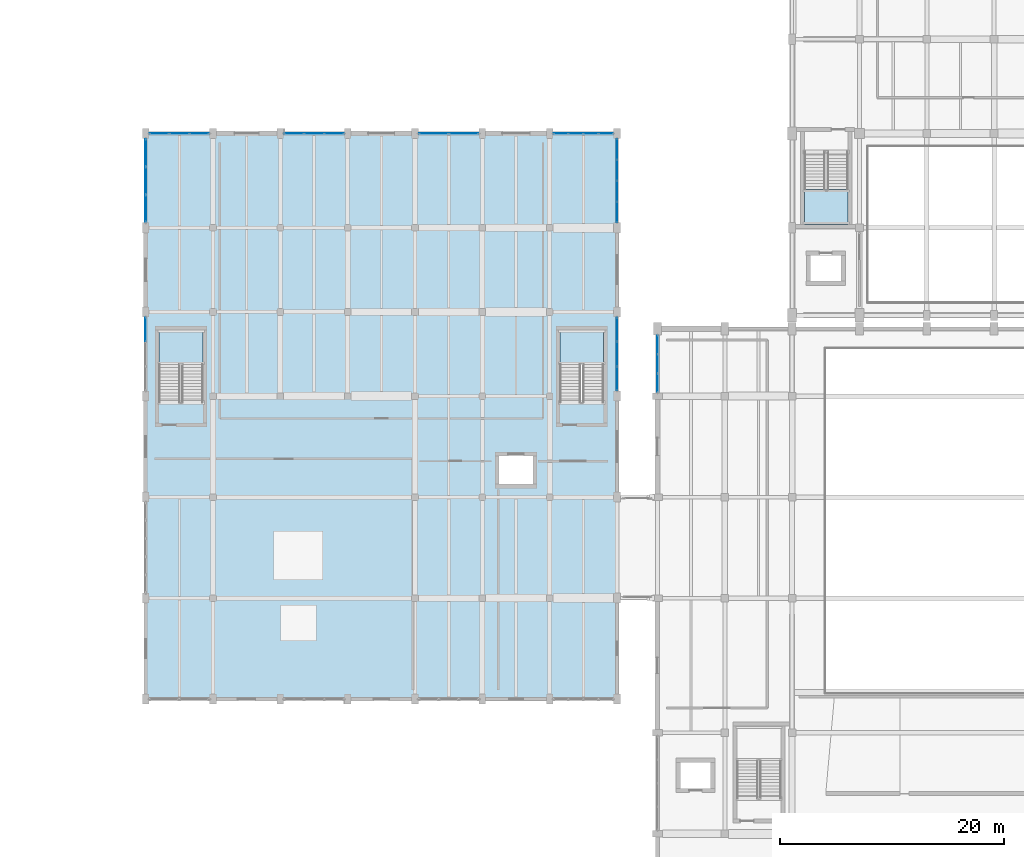
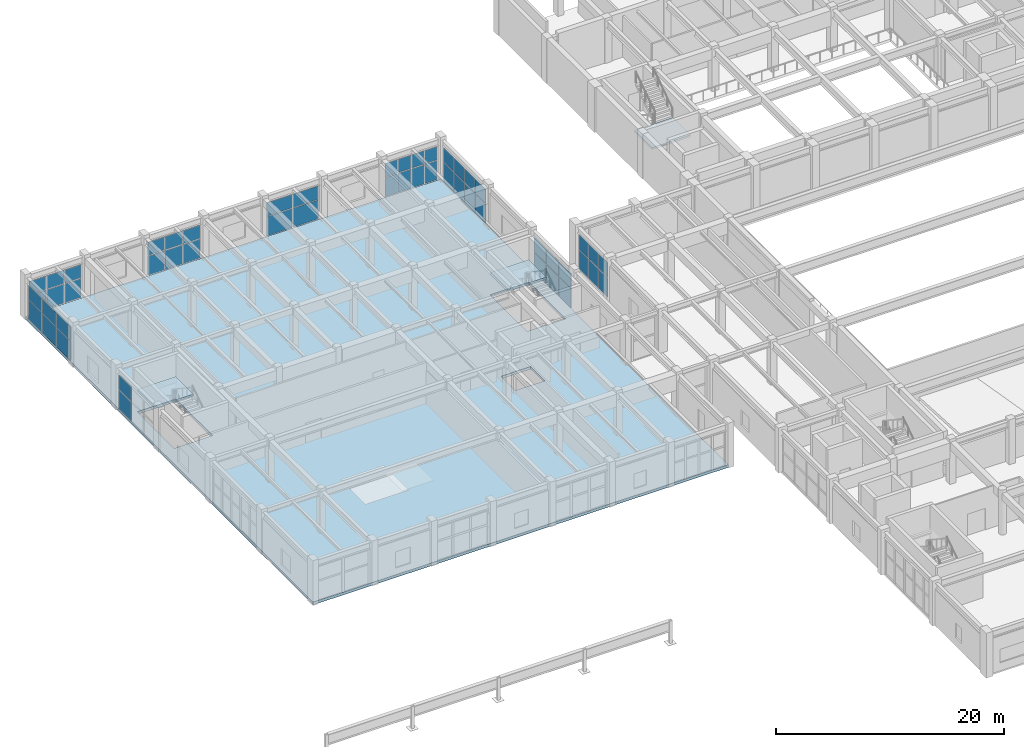
# One storey, part 57 of 85: 52 plates, 4 slabs, 12 elements without a shape of their own.
"""IFC4 building model written with IfcOpenShell, lengths in metres."""

import ifcopenshell
import ifcopenshell.guid

model = None  # the IFC model being written
_history = None  # IfcOwnerHistory: only IFC2X3 demands one
_inside = {}  # id of a spatial element -> (the spatial element, [elements in it])
_under = {}  # id of a project, library or spatial element -> (it, [spatial elements below it])
_declared = {}  # id of a project -> (the project, [libraries it declares])
_typed = {}  # id of a type object -> (the type object, [elements of that type])
_made_of = {}  # id of a material, layer set ... -> (it, [elements and type objects made of it])


def new_model(schema):
    """Start an empty IFC model of exactly this schema.

    Asked for "IFC4X3", IfcOpenShell would pick the latest addendum, in which some entities
    have other attributes; the version numbers below select the first issue.
    IFC2X3 requires an IfcOwnerHistory on every rooted entity: one is made here for all.
    """
    global model, _history
    if schema == "IFC4X3":
        model = ifcopenshell.file(schema_version=(4, 3, 0, 0))
    else:
        model = ifcopenshell.file(schema=schema)
    _inside.clear()
    _under.clear()
    _declared.clear()
    _typed.clear()
    _made_of.clear()
    _history = None
    if model.schema == "IFC2X3":
        org = make("IfcOrganization", Name="unknown")
        user = make(
            "IfcPersonAndOrganization",
            ThePerson=make("IfcPerson", FamilyName="unknown"),
            TheOrganization=org,
        )
        app = make(
            "IfcApplication",
            ApplicationDeveloper=org,
            Version="unknown",
            ApplicationFullName="unknown",
            ApplicationIdentifier="unknown",
        )
        _history = make(
            "IfcOwnerHistory",
            OwningUser=user,
            OwningApplication=app,
            ChangeAction="ADDED",
            CreationDate=0,
        )
    return model


def make(cls, **values):
    """One entity of the class cls with the attributes given. An attribute that is None is left unset."""
    return model.create_entity(
        cls, **{name: value for name, value in values.items() if value is not None}
    )


def rooted(cls, **values):
    """An entity with a GlobalId (a new one), such as an element, a storey or a relation."""
    return make(cls, GlobalId=ifcopenshell.guid.new(), OwnerHistory=_history, **values)


def si_unit(unit_type, name, prefix=None):
    """IfcSIUnit, for example si_unit("LENGTHUNIT", "METRE", prefix="MILLI")."""
    return make("IfcSIUnit", UnitType=unit_type, Prefix=prefix, Name=name)


def assignment(units):
    """IfcUnitAssignment: the units of a project."""
    return None if units is None else make("IfcUnitAssignment", Units=units)


def point(xyz):
    """IfcCartesianPoint."""
    return None if xyz is None else make("IfcCartesianPoint", Coordinates=xyz)


def direction(xyz):
    """IfcDirection."""
    return None if xyz is None else make("IfcDirection", DirectionRatios=xyz)


def frame(location, z_axis=None, x_axis=None):
    """IfcAxis2Placement3D, a coordinate frame: its origin and axes. An axis left out is left unset."""
    return make(
        "IfcAxis2Placement3D",
        Location=point(location),
        Axis=direction(z_axis),
        RefDirection=direction(x_axis),
    )


def frame_2d(location, x_axis=None):
    """IfcAxis2Placement2D, a coordinate frame in the plane: its origin and x axis."""
    return make(
        "IfcAxis2Placement2D", Location=point(location), RefDirection=direction(x_axis)
    )


def origin():
    """The frame at (0, 0, 0) with its axes left unset."""
    return frame((0.0, 0.0, 0.0))


def origin_2d():
    """The frame at (0, 0) in the plane with its x axis left unset."""
    return frame_2d((0.0, 0.0))


def place(relative_to, where):
    """IfcLocalPlacement: puts the frame where relative to a parent placement (None: the world)."""
    return make(
        "IfcLocalPlacement", PlacementRelTo=relative_to, RelativePlacement=where
    )


def context(
    kind, dimensions, precision=None, world=None, true_north=None, identifier=None
):
    """IfcGeometricRepresentationContext, for example the 3D "Model" context."""
    return make(
        "IfcGeometricRepresentationContext",
        ContextIdentifier=identifier,
        ContextType=kind,
        CoordinateSpaceDimension=dimensions,
        Precision=precision,
        WorldCoordinateSystem=world,
        TrueNorth=true_north,
    )


def subcontext(parent, identifier, kind, view, scale=None):
    """IfcGeometricRepresentationSubContext, for example "Body" below "Model"."""
    return make(
        "IfcGeometricRepresentationSubContext",
        ContextIdentifier=identifier,
        ContextType=kind,
        ParentContext=parent,
        TargetScale=scale,
        TargetView=view,
    )


def project(units=None, contexts=None):
    """IfcProject with its units and contexts."""
    return rooted(
        "IfcProject",
        Name="project",
        RepresentationContexts=contexts,
        UnitsInContext=assignment(units),
    )


def spatial(cls, under=None, at=None, **own):
    """A site, building, storey or space (cls), placed at a placement, below another one or the project."""
    s = rooted(cls, ObjectPlacement=at, **own)
    if under is not None:
        _under.setdefault(under.id(), (under, []))[1].append(s)
    return s


def polyline(points):
    """IfcPolyline through the points."""
    return make("IfcPolyline", Points=[point(p) for p in points])


def profile(cls, at=None, kind="AREA", **sizes):
    """A parametric profile (cls). Its sizes go by their IFC names, for example OverallWidth=200.0."""
    return make(cls, ProfileType=kind, Position=at, **sizes)


def rectangle(**sizes):
    """IfcRectangleProfileDef."""
    return profile("IfcRectangleProfileDef", **sizes)


def outline(outer, holes=None, kind="AREA"):
    """IfcArbitraryClosedProfileDef: a profile drawn as a closed curve; with holes, ...WithVoids."""
    if holes is None:
        return make("IfcArbitraryClosedProfileDef", ProfileType=kind, OuterCurve=outer)
    return make(
        "IfcArbitraryProfileDefWithVoids",
        ProfileType=kind,
        OuterCurve=outer,
        InnerCurves=holes,
    )


def extrude(swept, where, along, depth):
    """IfcExtrudedAreaSolid: the profile swept, set in the frame where, extruded along a direction by depth."""
    return make(
        "IfcExtrudedAreaSolid",
        SweptArea=swept,
        Position=where,
        ExtrudedDirection=direction(along),
        Depth=depth,
    )


def shape(context_of_items, identifier, shape_type, items):
    """IfcShapeRepresentation: the items that make up one representation, for example the "Body"."""
    return make(
        "IfcShapeRepresentation",
        ContextOfItems=context_of_items,
        RepresentationIdentifier=identifier,
        RepresentationType=shape_type,
        Items=items,
    )


def material(Name=None, Category=None):
    """IfcMaterial."""
    return make("IfcMaterial", Name=Name, Category=Category)


def layer(
    of_material, thickness, ventilated=None, Name=None, Category=None, Priority=None
):
    """IfcMaterialLayer: one layer of a wall or slab, of a material (None: an air gap)."""
    return make(
        "IfcMaterialLayer",
        Material=of_material,
        LayerThickness=thickness,
        IsVentilated=ventilated,
        Name=Name,
        Category=Category,
        Priority=Priority,
    )


def layer_set(layers, Name=None):
    """IfcMaterialLayerSet."""
    return make("IfcMaterialLayerSet", MaterialLayers=layers, LayerSetName=Name)


def made_of(thing, what):
    """Note that an element or type object is made of a material, layer set ...; save() writes the relation."""
    if what is not None:
        _made_of.setdefault(what.id(), (what, []))[1].append(thing)
    return thing


def type_object(cls, material=None, **own):
    """A type object (cls), such as IfcWallType, which elements share."""
    return made_of(rooted(cls, **own), material)


def element(
    cls,
    number,
    at=None,
    inside=None,
    cuts=None,
    type_object=None,
    material=None,
    context=None,
    identifier="Body",
    shape_type=None,
    held_by="IfcProductDefinitionShape",
    body=None,
    shapes=None,
    **own,
):
    """One element of the class cls, such as IfcWall. Its Tag is "e" and its number.

    at: its placement. inside: the storey or other place that contains it. cuts: it is an
    opening in that element (IfcRelVoidsElement). A single representation is given by context,
    identifier, shape_type and body (its items); several are given by shapes. held_by: the class
    of the entity that holds the representations. save() writes the other relations.
    """
    e = rooted(cls, Tag="e%d" % number, ObjectPlacement=at, **own)
    if body is not None:
        shapes = [shape(context, identifier, shape_type, body)]
    if shapes is not None:
        e.Representation = make(held_by, Representations=shapes)
    if inside is not None:
        _inside.setdefault(inside.id(), (inside, []))[1].append(e)
    if cuts is not None:
        rooted(
            "IfcRelVoidsElement", RelatingBuildingElement=cuts, RelatedOpeningElement=e
        )
    if type_object is not None:
        _typed.setdefault(type_object.id(), (type_object, []))[1].append(e)
    return made_of(e, material)


def aggregate(whole, parts):
    """IfcRelAggregates: a whole, such as a stair, and the parts it consists of."""
    return rooted("IfcRelAggregates", RelatingObject=whole, RelatedObjects=parts)


def save(model, path):
    """Write the relations noted so far, then the file.

    IfcRelAggregates (storeys below a building ...), IfcRelContainedInSpatialStructure (elements
    in a storey), IfcRelDefinesByType, IfcRelAssociatesMaterial and IfcRelDeclares: one each for
    every whole, place, type object, material and project.
    """
    for whole, parts in _under.values():
        aggregate(whole, parts)
    for where, things in _inside.values():
        rooted(
            "IfcRelContainedInSpatialStructure",
            RelatedElements=things,
            RelatingStructure=where,
        )
    for kind, things in _typed.values():
        rooted("IfcRelDefinesByType", RelatedObjects=things, RelatingType=kind)
    for what, things in _made_of.values():
        rooted("IfcRelAssociatesMaterial", RelatedObjects=things, RelatingMaterial=what)
    for by, libraries in _declared.values():
        rooted("IfcRelDeclares", RelatingContext=by, RelatedDefinitions=libraries)
    model.write(path)


model = new_model("IFC4")

# Units and contexts
model_context = context("Model", 3, precision=1e-05, world=origin(), true_north=direction((0.0, 1.0)))
body_context = subcontext(model_context, "Body", "Model", "MODEL_VIEW")
ifc_project = project(units=[si_unit("LENGTHUNIT", "METRE"), si_unit("AREAUNIT", "SQUARE_METRE"), si_unit("VOLUMEUNIT", "CUBIC_METRE"), si_unit("PLANEANGLEUNIT", "RADIAN"), si_unit("MASSUNIT", "GRAM", prefix="KILO")], contexts=[model_context])

# Site, building, storey
site_placement = place(None, origin())
site = spatial("IfcSite", under=ifc_project, at=site_placement, CompositionType="ELEMENT")
building_placement = place(site_placement, origin())
building = spatial("IfcBuilding", under=site, at=building_placement, Name="Vaelkrest Opera House", CompositionType="ELEMENT")
storey_placement = place(building_placement, frame((0.0, 0.0, 10.199951171875)))
storey = spatial("IfcBuildingStorey", under=building, at=storey_placement, Name="L02", CompositionType="ELEMENT", Elevation=10.199951171875)

# Curtain wall, plates
ifc_material_1 = material(Name="Dark bronze anodized aluminium", Category="aluminium")
ifc_layer_1 = layer(ifc_material_1, 0.18994140625)
ifc_layer_set_1 = layer_set([ifc_layer_1], Name="Dark bronze anodized aluminium")
curtain_wall_type_1 = type_object("IfcCurtainWallType", Name="CW02", PredefinedType="NOTDEFINED", material=ifc_layer_set_1)
curtain_wall_1_placement = place(storey_placement, origin())
curtain_wall_1 = element("IfcCurtainWall", 1, at=curtain_wall_1_placement, inside=storey, type_object=curtain_wall_type_1, Name="Curtain wall CW-L02-038", PredefinedType="NOTDEFINED")
ifc_material_2 = material(Name="Double low-E insulated glazing", Category="glass")
ifc_layer_2 = layer(ifc_material_2, 0.030029296875)
ifc_layer_set_2 = layer_set([ifc_layer_2], Name="Double low-E insulated glazing")
plate_type_1 = type_object("IfcPlateType", Name="CWP02", PredefinedType="CURTAIN_PANEL", material=ifc_layer_set_2)
plate_1_placement = place(storey_placement, frame((-30.0, 11.37451171875, 0.070068359375), z_axis=(0.0, 0.0, 1.0), x_axis=(0.0, 1.0, 0.0)))
plate_1 = element("IfcPlate", 2, at=plate_1_placement, type_object=plate_type_1, Name="CW02 panel 1.1", PredefinedType="CURTAIN_PANEL", context=body_context, shape_type="SweptSolid", body=[
    extrude(rectangle(XDim=1.613037109375, YDim=0.030029296875, at=origin_2d()), origin(), (0.0, 0.0, 1.0), 2.044921875),
])
plate_2_placement = place(storey_placement, frame((-30.0, 11.37451171875, 2.18505859375), z_axis=(0.0, 0.0, 1.0), x_axis=(0.0, 1.0, 0.0)))
plate_2 = element("IfcPlate", 3, at=plate_2_placement, type_object=plate_type_1, Name="CW02 panel 1.2", PredefinedType="CURTAIN_PANEL", context=body_context, shape_type="SweptSolid", body=[
    extrude(rectangle(XDim=1.613037109375, YDim=0.030029296875, at=origin_2d()), origin(), (0.0, 0.0, 1.0), 1.573974609375),
])
plate_3_placement = place(storey_placement, frame((-30.0, 13.074951171875, 0.070068359375), z_axis=(0.0, 0.0, 1.0), x_axis=(0.0, 1.0, 0.0)))
plate_3 = element("IfcPlate", 4, at=plate_3_placement, type_object=plate_type_1, Name="CW02 panel 2.1", PredefinedType="CURTAIN_PANEL", context=body_context, shape_type="SweptSolid", body=[
    extrude(rectangle(XDim=1.64794921875, YDim=0.030029296875, at=origin_2d()), origin(), (0.0, 0.0, 1.0), 2.044921875),
])
plate_4_placement = place(storey_placement, frame((-30.0, 13.074951171875, 2.18505859375), z_axis=(0.0, 0.0, 1.0), x_axis=(0.0, 1.0, 0.0)))
plate_4 = element("IfcPlate", 5, at=plate_4_placement, type_object=plate_type_1, Name="CW02 panel 2.2", PredefinedType="CURTAIN_PANEL", context=body_context, shape_type="SweptSolid", body=[
    extrude(rectangle(XDim=1.64794921875, YDim=0.030029296875, at=origin_2d()), origin(), (0.0, 0.0, 1.0), 1.573974609375),
])
plate_5_placement = place(storey_placement, frame((-30.0, 14.775390625, 0.070068359375), z_axis=(0.0, 0.0, 1.0), x_axis=(0.0, 1.0, 0.0)))
plate_5 = element("IfcPlate", 6, at=plate_5_placement, type_object=plate_type_1, Name="CW02 panel 3.1", PredefinedType="CURTAIN_PANEL", context=body_context, shape_type="SweptSolid", body=[
    extrude(rectangle(XDim=1.613037109375, YDim=0.030029296875, at=origin_2d()), origin(), (0.0, 0.0, 1.0), 2.044921875),
])
plate_6_placement = place(storey_placement, frame((-30.0, 14.775390625, 2.18505859375), z_axis=(0.0, 0.0, 1.0), x_axis=(0.0, 1.0, 0.0)))
plate_6 = element("IfcPlate", 7, at=plate_6_placement, type_object=plate_type_1, Name="CW02 panel 3.2", PredefinedType="CURTAIN_PANEL", context=body_context, shape_type="SweptSolid", body=[
    extrude(rectangle(XDim=1.613037109375, YDim=0.030029296875, at=origin_2d()), origin(), (0.0, 0.0, 1.0), 1.573974609375),
])
aggregate(curtain_wall_1, [plate_1, plate_2, plate_3, plate_4, plate_5, plate_6])

curtain_wall_2_placement = place(storey_placement, origin())
curtain_wall_2 = element("IfcCurtainWall", 8, at=curtain_wall_2_placement, inside=storey, type_object=curtain_wall_type_1, Name="Curtain wall CW-L02-122", PredefinedType="NOTDEFINED")
plate_7_placement = place(storey_placement, frame((-38.60888671875, 33.60009765625, 0.070068359375), z_axis=(0.0, 0.0, 1.0), x_axis=(1.0, 0.0, 0.0)))
plate_7 = element("IfcPlate", 9, at=plate_7_placement, type_object=plate_type_1, Name="CW02 panel 1.1", PredefinedType="CURTAIN_PANEL", context=body_context, shape_type="SweptSolid", body=[
    extrude(rectangle(XDim=1.24609375, YDim=0.030029296875, at=origin_2d()), origin(), (0.0, 0.0, 1.0), 2.044921875),
])
plate_8_placement = place(storey_placement, frame((-38.60888671875, 33.60009765625, 2.18505859375), z_axis=(0.0, 0.0, 1.0), x_axis=(1.0, 0.0, 0.0)))
plate_8 = element("IfcPlate", 10, at=plate_8_placement, type_object=plate_type_1, Name="CW02 panel 1.2", PredefinedType="CURTAIN_PANEL", context=body_context, shape_type="SweptSolid", body=[
    extrude(rectangle(XDim=1.24609375, YDim=0.030029296875, at=origin_2d()), origin(), (0.0, 0.0, 1.0), 1.429931640625),
])
plate_9_placement = place(storey_placement, frame((-37.275390625, 33.60009765625, 0.070068359375), z_axis=(0.0, 0.0, 1.0), x_axis=(1.0, 0.0, 0.0)))
plate_9 = element("IfcPlate", 11, at=plate_9_placement, type_object=plate_type_1, Name="CW02 panel 2.1", PredefinedType="CURTAIN_PANEL", context=body_context, shape_type="SweptSolid", body=[
    extrude(rectangle(XDim=1.281005859375, YDim=0.030029296875, at=origin_2d()), origin(), (0.0, 0.0, 1.0), 2.044921875),
])
plate_10_placement = place(storey_placement, frame((-37.275390625, 33.60009765625, 2.18505859375), z_axis=(0.0, 0.0, 1.0), x_axis=(1.0, 0.0, 0.0)))
plate_10 = element("IfcPlate", 12, at=plate_10_placement, type_object=plate_type_1, Name="CW02 panel 2.2", PredefinedType="CURTAIN_PANEL", context=body_context, shape_type="SweptSolid", body=[
    extrude(rectangle(XDim=1.281005859375, YDim=0.030029296875, at=origin_2d()), origin(), (0.0, 0.0, 1.0), 1.429931640625),
])
plate_11_placement = place(storey_placement, frame((-35.924560546875, 33.60009765625, 0.070068359375), z_axis=(0.0, 0.0, 1.0), x_axis=(1.0, 0.0, 0.0)))
plate_11 = element("IfcPlate", 13, at=plate_11_placement, type_object=plate_type_1, Name="CW02 panel 3.1", PredefinedType="CURTAIN_PANEL", context=body_context, shape_type="SweptSolid", body=[
    extrude(rectangle(XDim=1.281005859375, YDim=0.030029296875, at=origin_2d()), origin(), (0.0, 0.0, 1.0), 2.044921875),
])
plate_12_placement = place(storey_placement, frame((-35.924560546875, 33.60009765625, 2.18505859375), z_axis=(0.0, 0.0, 1.0), x_axis=(1.0, 0.0, 0.0)))
plate_12 = element("IfcPlate", 14, at=plate_12_placement, type_object=plate_type_1, Name="CW02 panel 3.2", PredefinedType="CURTAIN_PANEL", context=body_context, shape_type="SweptSolid", body=[
    extrude(rectangle(XDim=1.281005859375, YDim=0.030029296875, at=origin_2d()), origin(), (0.0, 0.0, 1.0), 1.429931640625),
])
plate_13_placement = place(storey_placement, frame((-34.591064453125, 33.60009765625, 0.070068359375), z_axis=(0.0, 0.0, 1.0), x_axis=(1.0, 0.0, 0.0)))
plate_13 = element("IfcPlate", 15, at=plate_13_placement, type_object=plate_type_1, Name="CW02 panel 4.1", PredefinedType="CURTAIN_PANEL", context=body_context, shape_type="SweptSolid", body=[
    extrude(rectangle(XDim=1.24609375, YDim=0.030029296875, at=origin_2d()), origin(), (0.0, 0.0, 1.0), 2.044921875),
])
plate_14_placement = place(storey_placement, frame((-34.591064453125, 33.60009765625, 2.18505859375), z_axis=(0.0, 0.0, 1.0), x_axis=(1.0, 0.0, 0.0)))
plate_14 = element("IfcPlate", 16, at=plate_14_placement, type_object=plate_type_1, Name="CW02 panel 4.2", PredefinedType="CURTAIN_PANEL", context=body_context, shape_type="SweptSolid", body=[
    extrude(rectangle(XDim=1.24609375, YDim=0.030029296875, at=origin_2d()), origin(), (0.0, 0.0, 1.0), 1.429931640625),
])
aggregate(curtain_wall_2, [plate_7, plate_8, plate_9, plate_10, plate_11, plate_12, plate_13, plate_14])

ifc_layer_3 = layer(ifc_material_1, 0.2099609375)
ifc_layer_set_3 = layer_set([ifc_layer_3], Name="Dark bronze anodized aluminium")
curtain_wall_type_2 = type_object("IfcCurtainWallType", Name="CW04", PredefinedType="NOTDEFINED", material=ifc_layer_set_3)
curtain_wall_3_placement = place(storey_placement, origin())
curtain_wall_3 = element("IfcCurtainWall", 17, at=curtain_wall_3_placement, inside=storey, type_object=curtain_wall_type_2, Name="Curtain wall CW-L02-119", PredefinedType="NOTDEFINED")
ifc_layer_4 = layer(ifc_material_2, 0.0380859375)
ifc_layer_set_4 = layer_set([ifc_layer_4], Name="Double low-E insulated glazing")
plate_type_2 = type_object("IfcPlateType", Name="CWP04", PredefinedType="CURTAIN_PANEL", material=ifc_layer_set_4)
plate_15_placement = place(storey_placement, frame((-74.38134765625, 33.60009765625, 0.080078125), z_axis=(0.0, 0.0, 1.0), x_axis=(1.0, 0.0, 0.0)))
plate_15 = element("IfcPlate", 18, at=plate_15_placement, type_object=plate_type_2, Name="CW04 panel 1.1", PredefinedType="CURTAIN_PANEL", context=body_context, shape_type="SweptSolid", body=[
    extrude(rectangle(XDim=1.681396484375, YDim=0.0380859375, at=origin_2d()), origin(), (0.0, 0.0, 1.0), 2.030029296875),
])
plate_16_placement = place(storey_placement, frame((-74.38134765625, 33.60009765625, 2.18994140625), z_axis=(0.0, 0.0, 1.0), x_axis=(1.0, 0.0, 0.0)))
plate_16 = element("IfcPlate", 19, at=plate_16_placement, type_object=plate_type_2, Name="CW04 panel 1.2", PredefinedType="CURTAIN_PANEL", context=body_context, shape_type="SweptSolid", body=[
    extrude(rectangle(XDim=1.681396484375, YDim=0.0380859375, at=origin_2d()), origin(), (0.0, 0.0, 1.0), 1.4150390625),
])
plate_17_placement = place(storey_placement, frame((-72.60009765625, 33.60009765625, 0.080078125), z_axis=(0.0, 0.0, 1.0), x_axis=(1.0, 0.0, 0.0)))
plate_17 = element("IfcPlate", 20, at=plate_17_placement, type_object=plate_type_2, Name="CW04 panel 2.1", PredefinedType="CURTAIN_PANEL", context=body_context, shape_type="SweptSolid", body=[
    extrude(rectangle(XDim=1.721435546875, YDim=0.0380859375, at=origin_2d()), origin(), (0.0, 0.0, 1.0), 2.030029296875),
])
plate_18_placement = place(storey_placement, frame((-72.60009765625, 33.60009765625, 2.18994140625), z_axis=(0.0, 0.0, 1.0), x_axis=(1.0, 0.0, 0.0)))
plate_18 = element("IfcPlate", 21, at=plate_18_placement, type_object=plate_type_2, Name="CW04 panel 2.2", PredefinedType="CURTAIN_PANEL", context=body_context, shape_type="SweptSolid", body=[
    extrude(rectangle(XDim=1.721435546875, YDim=0.0380859375, at=origin_2d()), origin(), (0.0, 0.0, 1.0), 1.4150390625),
])
plate_19_placement = place(storey_placement, frame((-70.818603515625, 33.60009765625, 0.080078125), z_axis=(0.0, 0.0, 1.0), x_axis=(1.0, 0.0, 0.0)))
plate_19 = element("IfcPlate", 22, at=plate_19_placement, type_object=plate_type_2, Name="CW04 panel 3.1", PredefinedType="CURTAIN_PANEL", context=body_context, shape_type="SweptSolid", body=[
    extrude(rectangle(XDim=1.681396484375, YDim=0.0380859375, at=origin_2d()), origin(), (0.0, 0.0, 1.0), 2.030029296875),
])
plate_20_placement = place(storey_placement, frame((-70.818603515625, 33.60009765625, 2.18994140625), z_axis=(0.0, 0.0, 1.0), x_axis=(1.0, 0.0, 0.0)))
plate_20 = element("IfcPlate", 23, at=plate_20_placement, type_object=plate_type_2, Name="CW04 panel 3.2", PredefinedType="CURTAIN_PANEL", context=body_context, shape_type="SweptSolid", body=[
    extrude(rectangle(XDim=1.681396484375, YDim=0.0380859375, at=origin_2d()), origin(), (0.0, 0.0, 1.0), 1.4150390625),
])
aggregate(curtain_wall_3, [plate_15, plate_16, plate_17, plate_18, plate_19, plate_20])

ifc_layer_5 = layer(ifc_material_1, 0.219970703125)
ifc_layer_set_5 = layer_set([ifc_layer_5], Name="Dark bronze anodized aluminium")
curtain_wall_type_3 = type_object("IfcCurtainWallType", Name="CW05", PredefinedType="NOTDEFINED", material=ifc_layer_set_5)
curtain_wall_4_placement = place(storey_placement, origin())
curtain_wall_4 = element("IfcCurtainWall", 24, at=curtain_wall_4_placement, inside=storey, type_object=curtain_wall_type_3, Name="Curtain wall CW-L02-123", PredefinedType="NOTDEFINED")
ifc_layer_6 = layer(ifc_material_2, 0.0419921875)
ifc_layer_set_6 = layer_set([ifc_layer_6], Name="Double low-E insulated glazing")
plate_type_3 = type_object("IfcPlateType", Name="CWP05", PredefinedType="CURTAIN_PANEL", material=ifc_layer_set_6)
plate_21_placement = place(storey_placement, frame((-33.60009765625, 32.19775390625, 0.074951171875), z_axis=(0.0, 0.0, 1.0), x_axis=(0.0, -1.0, 0.0)))
plate_21 = element("IfcPlate", 25, at=plate_21_placement, type_object=plate_type_3, Name="CW05 panel 1.1", PredefinedType="CURTAIN_PANEL", context=body_context, shape_type="SweptSolid", body=[
    extrude(rectangle(XDim=1.778564453125, YDim=0.0419921875, at=origin_2d()), origin(), (0.0, 0.0, 1.0), 2.03759765625),
])
plate_22_placement = place(storey_placement, frame((-33.60009765625, 32.19775390625, 2.1875), z_axis=(0.0, 0.0, 1.0), x_axis=(0.0, -1.0, 0.0)))
plate_22 = element("IfcPlate", 26, at=plate_22_placement, type_object=plate_type_3, Name="CW05 panel 1.2", PredefinedType="CURTAIN_PANEL", context=body_context, shape_type="SweptSolid", body=[
    extrude(rectangle(XDim=1.778564453125, YDim=0.0419921875, at=origin_2d()), origin(), (0.0, 0.0, 1.0), 1.506591796875),
])
plate_23_placement = place(storey_placement, frame((-33.60009765625, 30.337890625, 0.074951171875), z_axis=(0.0, 0.0, 1.0), x_axis=(0.0, -1.0, 0.0)))
plate_23 = element("IfcPlate", 27, at=plate_23_placement, type_object=plate_type_3, Name="CW05 panel 2.1", PredefinedType="CURTAIN_PANEL", context=body_context, shape_type="SweptSolid", body=[
    extrude(rectangle(XDim=1.81103515625, YDim=0.0419921875, at=origin_2d()), origin(), (0.0, 0.0, 1.0), 2.03759765625),
])
plate_24_placement = place(storey_placement, frame((-33.60009765625, 30.337890625, 2.1875), z_axis=(0.0, 0.0, 1.0), x_axis=(0.0, -1.0, 0.0)))
plate_24 = element("IfcPlate", 28, at=plate_24_placement, type_object=plate_type_3, Name="CW05 panel 2.2", PredefinedType="CURTAIN_PANEL", context=body_context, shape_type="SweptSolid", body=[
    extrude(rectangle(XDim=1.81103515625, YDim=0.0419921875, at=origin_2d()), origin(), (0.0, 0.0, 1.0), 1.506591796875),
])
plate_25_placement = place(storey_placement, frame((-33.60009765625, 28.4619140625, 0.074951171875), z_axis=(0.0, 0.0, 1.0), x_axis=(0.0, -1.0, 0.0)))
plate_25 = element("IfcPlate", 29, at=plate_25_placement, type_object=plate_type_3, Name="CW05 panel 3.1", PredefinedType="CURTAIN_PANEL", context=body_context, shape_type="SweptSolid", body=[
    extrude(rectangle(XDim=1.81103515625, YDim=0.0419921875, at=origin_2d()), origin(), (0.0, 0.0, 1.0), 2.03759765625),
])
plate_26_placement = place(storey_placement, frame((-33.60009765625, 28.4619140625, 2.1875), z_axis=(0.0, 0.0, 1.0), x_axis=(0.0, -1.0, 0.0)))
plate_26 = element("IfcPlate", 30, at=plate_26_placement, type_object=plate_type_3, Name="CW05 panel 3.2", PredefinedType="CURTAIN_PANEL", context=body_context, shape_type="SweptSolid", body=[
    extrude(rectangle(XDim=1.81103515625, YDim=0.0419921875, at=origin_2d()), origin(), (0.0, 0.0, 1.0), 1.506591796875),
])
plate_27_placement = place(storey_placement, frame((-33.60009765625, 26.602294921875, 0.074951171875), z_axis=(0.0, 0.0, 1.0), x_axis=(0.0, -1.0, 0.0)))
plate_27 = element("IfcPlate", 31, at=plate_27_placement, type_object=plate_type_3, Name="CW05 panel 4.1", PredefinedType="CURTAIN_PANEL", context=body_context, shape_type="SweptSolid", body=[
    extrude(rectangle(XDim=1.778564453125, YDim=0.0419921875, at=origin_2d()), origin(), (0.0, 0.0, 1.0), 2.03759765625),
])
plate_28_placement = place(storey_placement, frame((-33.60009765625, 26.602294921875, 2.1875), z_axis=(0.0, 0.0, 1.0), x_axis=(0.0, -1.0, 0.0)))
plate_28 = element("IfcPlate", 32, at=plate_28_placement, type_object=plate_type_3, Name="CW05 panel 4.2", PredefinedType="CURTAIN_PANEL", context=body_context, shape_type="SweptSolid", body=[
    extrude(rectangle(XDim=1.778564453125, YDim=0.0419921875, at=origin_2d()), origin(), (0.0, 0.0, 1.0), 1.506591796875),
])
aggregate(curtain_wall_4, [plate_21, plate_22, plate_23, plate_24, plate_25, plate_26, plate_27, plate_28])

ifc_layer_7 = layer(ifc_material_1, 0.22998046875)
ifc_layer_set_7 = layer_set([ifc_layer_7], Name="Dark bronze anodized aluminium")
curtain_wall_type_4 = type_object("IfcCurtainWallType", Name="CW06", PredefinedType="NOTDEFINED", material=ifc_layer_set_7)
curtain_wall_5_placement = place(storey_placement, origin())
curtain_wall_5 = element("IfcCurtainWall", 33, at=curtain_wall_5_placement, inside=storey, type_object=curtain_wall_type_4, Name="Curtain wall CW-L02-117", PredefinedType="NOTDEFINED")
ifc_material_3 = material(Name="Dark bronze anodized aluminium spandrel", Category="aluminium")
ifc_layer_8 = layer(ifc_material_3, 0.0458984375)
ifc_layer_set_8 = layer_set([ifc_layer_8], Name="Dark bronze anodized aluminium spandrel")
plate_type_4 = type_object("IfcPlateType", Name="CWP06", PredefinedType="CURTAIN_PANEL", material=ifc_layer_set_8)
plate_29_placement = place(storey_placement, frame((-75.60009765625, 16.1337890625, 0.080078125), z_axis=(0.0, 0.0, 1.0), x_axis=(0.0, 1.0, 0.0)))
plate_29 = element("IfcPlate", 34, at=plate_29_placement, type_object=plate_type_4, Name="CW06 panel 3.1", PredefinedType="CURTAIN_PANEL", context=body_context, shape_type="SweptSolid", body=[
    extrude(rectangle(XDim=2.096435546875, YDim=0.0458984375, at=origin_2d()), origin(), (0.0, 0.0, 1.0), 2.030029296875),
])
plate_30_placement = place(storey_placement, frame((-75.60009765625, 16.1337890625, 2.18994140625), z_axis=(0.0, 0.0, 1.0), x_axis=(0.0, 1.0, 0.0)))
plate_30 = element("IfcPlate", 35, at=plate_30_placement, type_object=plate_type_4, Name="CW06 panel 3.2", PredefinedType="CURTAIN_PANEL", context=body_context, shape_type="SweptSolid", body=[
    extrude(rectangle(XDim=2.096435546875, YDim=0.0458984375, at=origin_2d()), origin(), (0.0, 0.0, 1.0), 1.4990234375),
])
aggregate(curtain_wall_5, [plate_29, plate_30])

curtain_wall_6_placement = place(storey_placement, origin())
curtain_wall_6 = element("IfcCurtainWall", 36, at=curtain_wall_6_placement, inside=storey, type_object=curtain_wall_type_4, Name="Curtain wall CW-L02-120", PredefinedType="NOTDEFINED")
plate_31_placement = place(storey_placement, frame((-62.3837890625, 33.60009765625, 0.080078125), z_axis=(0.0, 0.0, 1.0), x_axis=(1.0, 0.0, 0.0)))
plate_31 = element("IfcPlate", 37, at=plate_31_placement, type_object=plate_type_4, Name="CW06 panel 1.1", PredefinedType="CURTAIN_PANEL", context=body_context, shape_type="SweptSolid", body=[
    extrude(rectangle(XDim=1.6962890625, YDim=0.0458984375, at=origin_2d()), origin(), (0.0, 0.0, 1.0), 2.030029296875),
])
plate_32_placement = place(storey_placement, frame((-62.3837890625, 33.60009765625, 2.18994140625), z_axis=(0.0, 0.0, 1.0), x_axis=(1.0, 0.0, 0.0)))
plate_32 = element("IfcPlate", 38, at=plate_32_placement, type_object=plate_type_4, Name="CW06 panel 1.2", PredefinedType="CURTAIN_PANEL", context=body_context, shape_type="SweptSolid", body=[
    extrude(rectangle(XDim=1.6962890625, YDim=0.0458984375, at=origin_2d()), origin(), (0.0, 0.0, 1.0), 1.4150390625),
])
plate_33_placement = place(storey_placement, frame((-60.60009765625, 33.60009765625, 0.080078125), z_axis=(0.0, 0.0, 1.0), x_axis=(1.0, 0.0, 0.0)))
plate_33 = element("IfcPlate", 39, at=plate_33_placement, type_object=plate_type_4, Name="CW06 panel 2.1", PredefinedType="CURTAIN_PANEL", context=body_context, shape_type="SweptSolid", body=[
    extrude(rectangle(XDim=1.7314453125, YDim=0.0458984375, at=origin_2d()), origin(), (0.0, 0.0, 1.0), 2.030029296875),
])
plate_34_placement = place(storey_placement, frame((-60.60009765625, 33.60009765625, 2.18994140625), z_axis=(0.0, 0.0, 1.0), x_axis=(1.0, 0.0, 0.0)))
plate_34 = element("IfcPlate", 40, at=plate_34_placement, type_object=plate_type_4, Name="CW06 panel 2.2", PredefinedType="CURTAIN_PANEL", context=body_context, shape_type="SweptSolid", body=[
    extrude(rectangle(XDim=1.7314453125, YDim=0.0458984375, at=origin_2d()), origin(), (0.0, 0.0, 1.0), 1.4150390625),
])
plate_35_placement = place(storey_placement, frame((-58.816162109375, 33.60009765625, 0.080078125), z_axis=(0.0, 0.0, 1.0), x_axis=(1.0, 0.0, 0.0)))
plate_35 = element("IfcPlate", 41, at=plate_35_placement, type_object=plate_type_4, Name="CW06 panel 3.1", PredefinedType="CURTAIN_PANEL", context=body_context, shape_type="SweptSolid", body=[
    extrude(rectangle(XDim=1.6962890625, YDim=0.0458984375, at=origin_2d()), origin(), (0.0, 0.0, 1.0), 2.030029296875),
])
plate_36_placement = place(storey_placement, frame((-58.816162109375, 33.60009765625, 2.18994140625), z_axis=(0.0, 0.0, 1.0), x_axis=(1.0, 0.0, 0.0)))
plate_36 = element("IfcPlate", 42, at=plate_36_placement, type_object=plate_type_4, Name="CW06 panel 3.2", PredefinedType="CURTAIN_PANEL", context=body_context, shape_type="SweptSolid", body=[
    extrude(rectangle(XDim=1.6962890625, YDim=0.0458984375, at=origin_2d()), origin(), (0.0, 0.0, 1.0), 1.4150390625),
])
aggregate(curtain_wall_6, [plate_31, plate_32, plate_33, plate_34, plate_35, plate_36])

ifc_layer_9 = layer(ifc_material_1, 0.239990234375)
ifc_layer_set_9 = layer_set([ifc_layer_9], Name="Dark bronze anodized aluminium")
curtain_wall_type_5 = type_object("IfcCurtainWallType", Name="CW07", PredefinedType="NOTDEFINED", material=ifc_layer_set_9)
curtain_wall_7_placement = place(storey_placement, origin())
curtain_wall_7 = element("IfcCurtainWall", 43, at=curtain_wall_7_placement, inside=storey, type_object=curtain_wall_type_5, Name="Curtain wall CW-L02-124", PredefinedType="NOTDEFINED")
ifc_layer_10 = layer(ifc_material_3, 0.052001953125)
ifc_layer_set_10 = layer_set([ifc_layer_10], Name="Dark bronze anodized aluminium spandrel")
plate_type_5 = type_object("IfcPlateType", Name="CWP07", PredefinedType="CURTAIN_PANEL", material=ifc_layer_set_10)
plate_37_placement = place(storey_placement, frame((-33.60009765625, 16.132568359375, 0.06494140625), z_axis=(0.0, 0.0, 1.0), x_axis=(0.0, -1.0, 0.0)))
plate_37 = element("IfcPlate", 44, at=plate_37_placement, type_object=plate_type_5, Name="CW07 panel 1.1", PredefinedType="CURTAIN_PANEL", context=body_context, shape_type="SweptSolid", body=[
    extrude(rectangle(XDim=2.0888671875, YDim=0.052001953125, at=origin_2d()), origin(), (0.0, 0.0, 1.0), 2.052490234375),
])
plate_38_placement = place(storey_placement, frame((-33.60009765625, 16.132568359375, 2.1826171875), z_axis=(0.0, 0.0, 1.0), x_axis=(0.0, -1.0, 0.0)))
plate_38 = element("IfcPlate", 45, at=plate_38_placement, type_object=plate_type_5, Name="CW07 panel 1.2", PredefinedType="CURTAIN_PANEL", context=body_context, shape_type="SweptSolid", body=[
    extrude(rectangle(XDim=2.0888671875, YDim=0.052001953125, at=origin_2d()), origin(), (0.0, 0.0, 1.0), 1.521484375),
])
plate_39_placement = place(storey_placement, frame((-33.60009765625, 13.949951171875, 0.06494140625), z_axis=(0.0, 0.0, 1.0), x_axis=(0.0, -1.0, 0.0)))
plate_39 = element("IfcPlate", 46, at=plate_39_placement, type_object=plate_type_5, Name="CW07 panel 2.1", PredefinedType="CURTAIN_PANEL", context=body_context, shape_type="SweptSolid", body=[
    extrude(rectangle(XDim=2.126220703125, YDim=0.052001953125, at=origin_2d()), origin(), (0.0, 0.0, 1.0), 2.052490234375),
])
plate_40_placement = place(storey_placement, frame((-33.60009765625, 13.949951171875, 2.1826171875), z_axis=(0.0, 0.0, 1.0), x_axis=(0.0, -1.0, 0.0)))
plate_40 = element("IfcPlate", 47, at=plate_40_placement, type_object=plate_type_5, Name="CW07 panel 2.2", PredefinedType="CURTAIN_PANEL", context=body_context, shape_type="SweptSolid", body=[
    extrude(rectangle(XDim=2.126220703125, YDim=0.052001953125, at=origin_2d()), origin(), (0.0, 0.0, 1.0), 1.521484375),
])
plate_41_placement = place(storey_placement, frame((-33.60009765625, 11.767333984375, 0.06494140625), z_axis=(0.0, 0.0, 1.0), x_axis=(0.0, -1.0, 0.0)))
plate_41 = element("IfcPlate", 48, at=plate_41_placement, type_object=plate_type_5, Name="CW07 panel 3.1", PredefinedType="CURTAIN_PANEL", context=body_context, shape_type="SweptSolid", body=[
    extrude(rectangle(XDim=2.0888671875, YDim=0.052001953125, at=origin_2d()), origin(), (0.0, 0.0, 1.0), 2.052490234375),
])
plate_42_placement = place(storey_placement, frame((-33.60009765625, 11.767333984375, 2.1826171875), z_axis=(0.0, 0.0, 1.0), x_axis=(0.0, -1.0, 0.0)))
plate_42 = element("IfcPlate", 49, at=plate_42_placement, type_object=plate_type_5, Name="CW07 panel 3.2", PredefinedType="CURTAIN_PANEL", context=body_context, shape_type="SweptSolid", body=[
    extrude(rectangle(XDim=2.0888671875, YDim=0.052001953125, at=origin_2d()), origin(), (0.0, 0.0, 1.0), 1.521484375),
])
aggregate(curtain_wall_7, [plate_37, plate_38, plate_39, plate_40, plate_41, plate_42])

ifc_layer_11 = layer(ifc_material_1, 0.25)
ifc_layer_set_11 = layer_set([ifc_layer_11], Name="Dark bronze anodized aluminium")
curtain_wall_type_6 = type_object("IfcCurtainWallType", Name="CW08", PredefinedType="NOTDEFINED", material=ifc_layer_set_11)
curtain_wall_8_placement = place(storey_placement, origin())
curtain_wall_8 = element("IfcCurtainWall", 50, at=curtain_wall_8_placement, inside=storey, type_object=curtain_wall_type_6, Name="Curtain wall CW-L02-118", PredefinedType="NOTDEFINED")
ifc_layer_12 = layer(ifc_material_3, 0.05810546875)
ifc_layer_set_12 = layer_set([ifc_layer_12], Name="Dark bronze anodized aluminium spandrel")
plate_type_6 = type_object("IfcPlateType", Name="CWP08", PredefinedType="CURTAIN_PANEL", material=ifc_layer_set_12)
plate_43_placement = place(storey_placement, frame((-75.60009765625, 26.918701171875, 0.070068359375), z_axis=(0.0, 0.0, 1.0), x_axis=(0.0, 1.0, 0.0)))
plate_43 = element("IfcPlate", 51, at=plate_43_placement, type_object=plate_type_6, Name="CW08 panel 1.1", PredefinedType="CURTAIN_PANEL", context=body_context, shape_type="SweptSolid", body=[
    extrude(rectangle(XDim=2.38134765625, YDim=0.05810546875, at=origin_2d()), origin(), (0.0, 0.0, 1.0), 2.044921875),
])
plate_44_placement = place(storey_placement, frame((-75.60009765625, 26.918701171875, 2.18505859375), z_axis=(0.0, 0.0, 1.0), x_axis=(0.0, 1.0, 0.0)))
plate_44 = element("IfcPlate", 52, at=plate_44_placement, type_object=plate_type_6, Name="CW08 panel 1.2", PredefinedType="CURTAIN_PANEL", context=body_context, shape_type="SweptSolid", body=[
    extrude(rectangle(XDim=2.38134765625, YDim=0.05810546875, at=origin_2d()), origin(), (0.0, 0.0, 1.0), 1.513916015625),
])
plate_45_placement = place(storey_placement, frame((-75.60009765625, 29.39990234375, 0.070068359375), z_axis=(0.0, 0.0, 1.0), x_axis=(0.0, 1.0, 0.0)))
plate_45 = element("IfcPlate", 53, at=plate_45_placement, type_object=plate_type_6, Name="CW08 panel 2.1", PredefinedType="CURTAIN_PANEL", context=body_context, shape_type="SweptSolid", body=[
    extrude(rectangle(XDim=2.42138671875, YDim=0.05810546875, at=origin_2d()), origin(), (0.0, 0.0, 1.0), 2.044921875),
])
plate_46_placement = place(storey_placement, frame((-75.60009765625, 29.39990234375, 2.18505859375), z_axis=(0.0, 0.0, 1.0), x_axis=(0.0, 1.0, 0.0)))
plate_46 = element("IfcPlate", 54, at=plate_46_placement, type_object=plate_type_6, Name="CW08 panel 2.2", PredefinedType="CURTAIN_PANEL", context=body_context, shape_type="SweptSolid", body=[
    extrude(rectangle(XDim=2.42138671875, YDim=0.05810546875, at=origin_2d()), origin(), (0.0, 0.0, 1.0), 1.513916015625),
])
plate_47_placement = place(storey_placement, frame((-75.60009765625, 31.88134765625, 0.070068359375), z_axis=(0.0, 0.0, 1.0), x_axis=(0.0, 1.0, 0.0)))
plate_47 = element("IfcPlate", 55, at=plate_47_placement, type_object=plate_type_6, Name="CW08 panel 3.1", PredefinedType="CURTAIN_PANEL", context=body_context, shape_type="SweptSolid", body=[
    extrude(rectangle(XDim=2.38134765625, YDim=0.05810546875, at=origin_2d()), origin(), (0.0, 0.0, 1.0), 2.044921875),
])
plate_48_placement = place(storey_placement, frame((-75.60009765625, 31.88134765625, 2.18505859375), z_axis=(0.0, 0.0, 1.0), x_axis=(0.0, 1.0, 0.0)))
plate_48 = element("IfcPlate", 56, at=plate_48_placement, type_object=plate_type_6, Name="CW08 panel 3.2", PredefinedType="CURTAIN_PANEL", context=body_context, shape_type="SweptSolid", body=[
    extrude(rectangle(XDim=2.38134765625, YDim=0.05810546875, at=origin_2d()), origin(), (0.0, 0.0, 1.0), 1.513916015625),
])
aggregate(curtain_wall_8, [plate_43, plate_44, plate_45, plate_46, plate_47, plate_48])

curtain_wall_9_placement = place(storey_placement, origin())
curtain_wall_9 = element("IfcCurtainWall", 57, at=curtain_wall_9_placement, inside=storey, type_object=curtain_wall_type_6, Name="Curtain wall CW-L02-121", PredefinedType="NOTDEFINED")
plate_49_placement = place(storey_placement, frame((-49.930908203125, 33.60009765625, 0.070068359375), z_axis=(0.0, 0.0, 1.0), x_axis=(1.0, 0.0, 0.0)))
plate_49 = element("IfcPlate", 58, at=plate_49_placement, type_object=plate_type_6, Name="CW08 panel 1.1", PredefinedType="CURTAIN_PANEL", context=body_context, shape_type="SweptSolid", body=[
    extrude(rectangle(XDim=2.58203125, YDim=0.05810546875, at=origin_2d()), origin(), (0.0, 0.0, 1.0), 2.044921875),
])
plate_50_placement = place(storey_placement, frame((-49.930908203125, 33.60009765625, 2.18505859375), z_axis=(0.0, 0.0, 1.0), x_axis=(1.0, 0.0, 0.0)))
plate_50 = element("IfcPlate", 59, at=plate_50_placement, type_object=plate_type_6, Name="CW08 panel 1.2", PredefinedType="CURTAIN_PANEL", context=body_context, shape_type="SweptSolid", body=[
    extrude(rectangle(XDim=2.58203125, YDim=0.05810546875, at=origin_2d()), origin(), (0.0, 0.0, 1.0), 1.429931640625),
])
plate_51_placement = place(storey_placement, frame((-47.26904296875, 33.60009765625, 0.070068359375), z_axis=(0.0, 0.0, 1.0), x_axis=(1.0, 0.0, 0.0)))
plate_51 = element("IfcPlate", 60, at=plate_51_placement, type_object=plate_type_6, Name="CW08 panel 2.1", PredefinedType="CURTAIN_PANEL", context=body_context, shape_type="SweptSolid", body=[
    extrude(rectangle(XDim=2.58203125, YDim=0.05810546875, at=origin_2d()), origin(), (0.0, 0.0, 1.0), 2.044921875),
])
plate_52_placement = place(storey_placement, frame((-47.26904296875, 33.60009765625, 2.18505859375), z_axis=(0.0, 0.0, 1.0), x_axis=(1.0, 0.0, 0.0)))
plate_52 = element("IfcPlate", 61, at=plate_52_placement, type_object=plate_type_6, Name="CW08 panel 2.2", PredefinedType="CURTAIN_PANEL", context=body_context, shape_type="SweptSolid", body=[
    extrude(rectangle(XDim=2.58203125, YDim=0.05810546875, at=origin_2d()), origin(), (0.0, 0.0, 1.0), 1.429931640625),
])
aggregate(curtain_wall_9, [plate_49, plate_50, plate_51, plate_52])

# Slab
ifc_material_4 = material(Name="Concrete C40/50", Category="concrete")
ifc_layer_13 = layer(ifc_material_4, 0.284912109375)
ifc_layer_set_13 = layer_set([ifc_layer_13], Name="Concrete C40/50")
slab_type_1 = type_object("IfcSlabType", Name="FS03", PredefinedType="FLOOR", material=ifc_layer_set_13)
slab_1_placement = place(storey_placement, frame((0.0, 0.0, -0.284912109375)))
element("IfcSlab", 62, at=slab_1_placement, inside=storey, type_object=slab_type_1, Name="Floor slab SLB-V3-L02-021", PredefinedType="FLOOR", context=body_context, shape_type="SweptSolid", body=[
    extrude(outline(polyline([(-75.60009765625, -16.800048828125), (-33.60009765625, -16.800048828125), (-33.60009765625, 33.60009765625), (-75.60009765625, 33.60009765625), (-75.60009765625, -16.800048828125)]), holes=[polyline([(-70.5, 9.64990234375), (-70.5, 16.10009765625), (-74.39990234375, 16.10009765625), (-74.39990234375, 9.64990234375), (-70.5, 9.64990234375)]), polyline([(-34.800048828125, 9.64990234375), (-34.800048828125, 16.10009765625), (-38.699951171875, 16.10009765625), (-38.699951171875, 9.64990234375), (-34.800048828125, 9.64990234375)]), polyline([(-44.10009765625, 2.35009765625), (-41.10009765625, 2.35009765625), (-41.10009765625, 4.85009765625), (-44.10009765625, 4.85009765625), (-44.10009765625, 2.35009765625)])]), origin(), (0.0, 0.0, 1.0), 0.284912109375),
])

# Stair, slab
stair_type_1 = type_object("IfcStairType", Name="ST05", PredefinedType="TWO_STRAIGHT_RUN_STAIR", material=ifc_material_4)
stair_1_placement = place(storey_placement, origin())
stair_1 = element("IfcStair", 63, at=stair_1_placement, inside=storey, type_object=stair_type_1, Name="L02 Protected exit stair ST05", PredefinedType="TWO_STRAIGHT_RUN_STAIR")
ifc_layer_14 = layer(ifc_material_4, 0.199951171875)
ifc_layer_set_14 = layer_set([ifc_layer_14], Name="Concrete C40/50")
slab_type_2 = type_object("IfcSlabType", Name="SLD01", PredefinedType="LANDING", material=ifc_layer_set_14)
slab_2_placement = place(storey_placement, frame((0.0, 0.0, 2.199951171875)))
slab_2 = element("IfcSlab", 64, at=slab_2_placement, type_object=slab_type_2, Name="ST05 landing 1", PredefinedType="LANDING", context=body_context, shape_type="SweptSolid", body=[
    extrude(outline(polyline([(-16.89990234375, 28.590087890625), (-16.89990234375, 25.5), (-13.0, 25.5), (-13.0, 28.590087890625), (-16.89990234375, 28.590087890625)])), origin(), (0.0, 0.0, 1.0), 0.2001953125),
])
aggregate(stair_1, [slab_2])

stair_type_2 = type_object("IfcStairType", Name="ST07", PredefinedType="TWO_STRAIGHT_RUN_STAIR", material=ifc_material_4)
stair_2_placement = place(storey_placement, origin())
stair_2 = element("IfcStair", 65, at=stair_2_placement, inside=storey, type_object=stair_type_2, Name="L02 Protected exit stair ST07", PredefinedType="TWO_STRAIGHT_RUN_STAIR")
slab_3_placement = place(storey_placement, frame((0.0, 0.0, 2.199951171875)))
slab_3 = element("IfcSlab", 66, at=slab_3_placement, type_object=slab_type_2, Name="ST07 landing 1", PredefinedType="LANDING", context=body_context, shape_type="SweptSolid", body=[
    extrude(outline(polyline([(-70.5, 13.010009765625), (-70.5, 16.10009765625), (-74.39990234375, 16.10009765625), (-74.39990234375, 13.010009765625), (-70.5, 13.010009765625)])), origin(), (0.0, 0.0, 1.0), 0.2001953125),
])
aggregate(stair_2, [slab_3])

stair_type_3 = type_object("IfcStairType", Name="ST08", PredefinedType="TWO_STRAIGHT_RUN_STAIR", material=ifc_material_4)
stair_3_placement = place(storey_placement, origin())
stair_3 = element("IfcStair", 67, at=stair_3_placement, inside=storey, type_object=stair_type_3, Name="L02 Protected exit stair ST08", PredefinedType="TWO_STRAIGHT_RUN_STAIR")
slab_4_placement = place(storey_placement, frame((0.0, 0.0, 2.199951171875)))
slab_4 = element("IfcSlab", 68, at=slab_4_placement, type_object=slab_type_2, Name="ST08 landing 1", PredefinedType="LANDING", context=body_context, shape_type="SweptSolid", body=[
    extrude(outline(polyline([(-34.800048828125, 13.010009765625), (-34.800048828125, 16.10009765625), (-38.699951171875, 16.10009765625), (-38.699951171875, 13.010009765625), (-34.800048828125, 13.010009765625)])), origin(), (0.0, 0.0, 1.0), 0.2001953125),
])
aggregate(stair_3, [slab_4])

save(model, "model.ifc")
